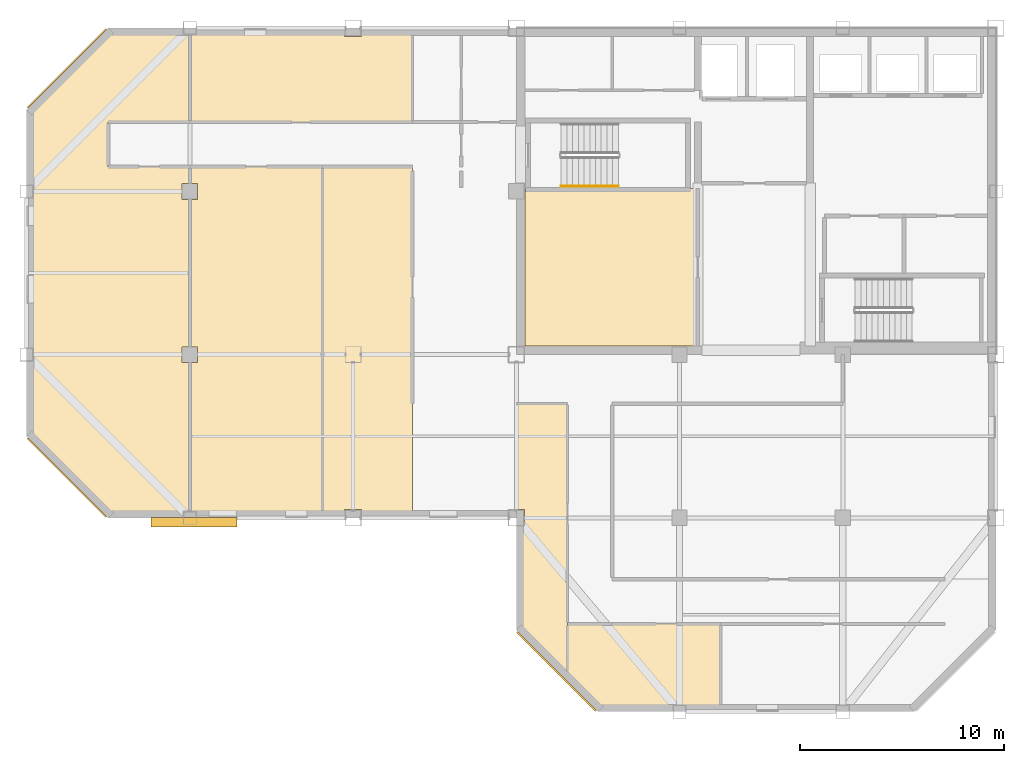
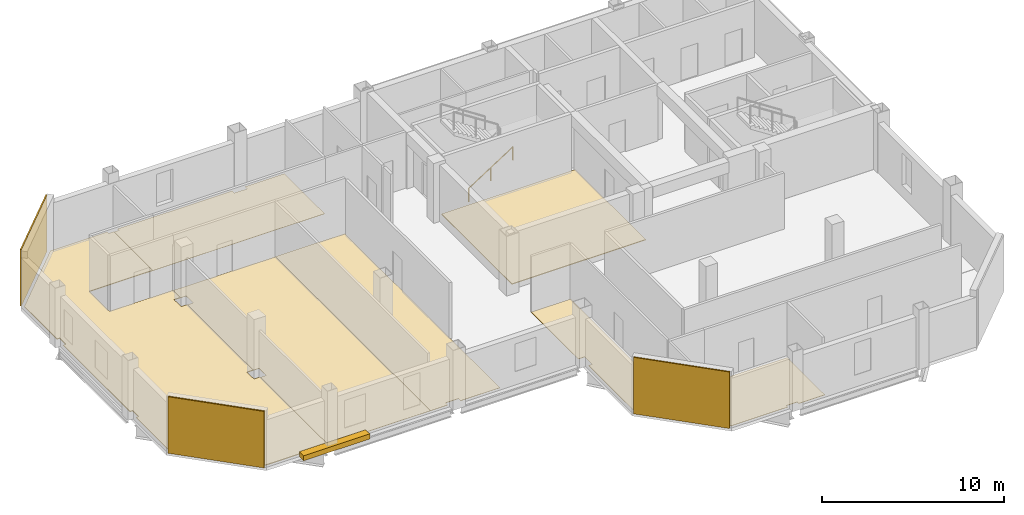
# One storey, part 5 of 7: 10 coverings, 1 railing, 1 shading device.
"""IFC4 building model written with IfcOpenShell, lengths in metres."""

from ifc_helpers import new_model, si_unit, direction, frame, origin, origin_2d, place, context, subcontext, project, spatial, polyline, rectangle, circle, outline, extrude, material, layer, layer_set, type_object, element, save


model = new_model("IFC4")

# Units and contexts
model_context = context("Model", 3, precision=1e-05, world=origin(), true_north=direction((0.0, 1.0)))
body_context = subcontext(model_context, "Body", "Model", "MODEL_VIEW")
ifc_project = project(units=[si_unit("LENGTHUNIT", "METRE"), si_unit("AREAUNIT", "SQUARE_METRE"), si_unit("VOLUMEUNIT", "CUBIC_METRE"), si_unit("PLANEANGLEUNIT", "RADIAN"), si_unit("MASSUNIT", "GRAM", prefix="KILO")], contexts=[model_context])

# Site, building, storey
site_placement = place(None, origin())
site = spatial("IfcSite", under=ifc_project, at=site_placement, CompositionType="ELEMENT")
building_placement = place(site_placement, origin())
building = spatial("IfcBuilding", under=site, at=building_placement, Name="Qianrong Seaharbour Tower", CompositionType="ELEMENT")
storey_placement = place(building_placement, frame((0.0, 0.0, 315.199951171875)))
storey = spatial("IfcBuildingStorey", under=building, at=storey_placement, Name="L76", CompositionType="ELEMENT", Elevation=315.199951171875)

# Coverings
ifc_material_1 = material(Name="Unitised red brick cladding on Precast concrete C45/55", Category="masonry")
ifc_layer_1 = layer(ifc_material_1, 0.080078125)
ifc_layer_set_1 = layer_set([ifc_layer_1], Name="Unitised red brick cladding on Precast concrete C45/55")
covering_type_1 = type_object("IfcCoveringType", Name="COV-CLAD-RED-BRICK-80", PredefinedType="CLADDING", material=ifc_layer_set_1)
for number, where, z_axis, x_axis, name in (
    (1, (18.4716796875, 29.9716796875, 0.0), (0.0, 0.0, 1.0), (-0.707106781187, 0.707106781187, 0.0), "L76 Chamfer Corner Brick Cladding 02"),
    (2, (18.4716796875, 50.0283203125, 0.0), (0.0, 0.0, 1.0), (0.707106781187, 0.707106781187, 0.0), "L76 Chamfer Corner Brick Cladding 04"),
    (3, (42.4716796875, 20.4716796875, 0.0), (0.0, 0.0, 1.0), (-0.707106781187, 0.707106781187, 0.0), "L76 Chamfer Corner Brick Cladding 09"),
):
    element("IfcCovering", number, at=place(storey_placement, frame(where, z_axis=z_axis, x_axis=x_axis)), inside=storey, type_object=covering_type_1, Name=name, PredefinedType="CLADDING", context=body_context, shape_type="SweptSolid", body=[
        extrude(rectangle(XDim=5.456787109375, YDim=0.080078125, at=origin_2d()), origin(), (0.0, 0.0, 1.0), 3.784912109375),
    ])
ifc_material_2 = material(Name="Acoustic modular carpet tile flooring")
ifc_layer_2 = layer(ifc_material_2, 0.02001953125)
ifc_layer_set_2 = layer_set([ifc_layer_2], Name="Acoustic modular carpet tile flooring")
covering_type_2 = type_object("IfcCoveringType", Name="COV-FLOOR-CARPET-20", PredefinedType="FLOORING", material=ifc_layer_set_2)
covering_1_placement = place(storey_placement, origin())
element("IfcCovering", 4, at=covering_1_placement, inside=storey, type_object=covering_type_2, Name="L76 Corporate Archive Room Finish Flooring", PredefinedType="FLOORING", context=body_context, shape_type="SweptSolid", body=[
    extrude(outline(polyline([(24.5, 51.6650390625), (24.8349609375, 51.6650390625), (24.8349609375, 51.824951171875), (32.090087890625, 51.824951171875), (32.090087890625, 51.590087890625), (32.909912109375, 51.590087890625), (32.909912109375, 51.824951171875), (35.39990234375, 51.824951171875), (35.39990234375, 47.39990234375), (24.5, 47.39990234375), (24.5, 51.6650390625)])), origin(), (0.0, 0.0, 1.0), 0.02001953125),
])
covering_2_placement = place(storey_placement, origin())
element("IfcCovering", 5, at=covering_2_placement, inside=storey, type_object=covering_type_2, Name="L76 Project Library 1 Finish Flooring", PredefinedType="FLOORING", context=body_context, shape_type="SweptSolid", body=[
    extrude(outline(polyline([(24.8349609375, 28.175048828125), (24.8349609375, 28.3349609375), (24.5, 28.3349609375), (24.5, 35.614990234375), (24.885009765625, 35.614990234375), (24.885009765625, 36.385009765625), (24.5, 36.385009765625), (24.5, 43.614990234375), (24.885009765625, 43.614990234375), (24.885009765625, 44.385009765625), (24.5, 44.385009765625), (24.5, 45.199951171875), (31.0, 45.199951171875), (31.0, 28.175048828125), (24.8349609375, 28.175048828125)])), origin(), (0.0, 0.0, 1.0), 0.02001953125),
])
covering_3_placement = place(storey_placement, origin())
element("IfcCovering", 6, at=covering_3_placement, inside=storey, type_object=covering_type_2, Name="L76 Digital Media Hall 2 Finish Flooring", PredefinedType="FLOORING", context=body_context, shape_type="SweptSolid", body=[
    extrude(outline(polyline([(32.909912109375, 28.175048828125), (32.909912109375, 28.409912109375), (32.090087890625, 28.409912109375), (32.090087890625, 28.175048828125), (31.0, 28.175048828125), (31.0, 45.199951171875), (35.39990234375, 45.199951171875), (35.39990234375, 28.175048828125), (32.909912109375, 28.175048828125)])), origin(), (0.0, 0.0, 1.0), 0.02001953125),
])
covering_4_placement = place(storey_placement, origin())
element("IfcCovering", 7, at=covering_4_placement, inside=storey, type_object=covering_type_2, Name="L76 Wet Pantry Finish Flooring", PredefinedType="FLOORING", context=body_context, shape_type="SweptSolid", body=[
    extrude(outline(polyline([(43.0, 20.24755859375), (40.675048828125, 22.572509765625), (40.675048828125, 27.590087890625), (40.909912109375, 27.590087890625), (40.909912109375, 28.409912109375), (40.5, 28.409912109375), (40.5, 33.60009765625), (43.0, 33.60009765625), (43.0, 20.24755859375)])), origin(), (0.0, 0.0, 1.0), 0.02001953125),
])
covering_5_placement = place(storey_placement, origin())
element("IfcCovering", 8, at=covering_5_placement, inside=storey, type_object=covering_type_2, Name="L76 Harbour Symposium Hall 1 Finish Flooring", PredefinedType="FLOORING", context=body_context, shape_type="SweptSolid", body=[
    extrude(outline(polyline([(50.5, 18.675048828125), (48.8349609375, 18.675048828125), (48.8349609375, 18.8349609375), (48.1650390625, 18.8349609375), (48.1650390625, 18.675048828125), (44.572509765625, 18.675048828125), (43.0, 20.24755859375), (43.0, 22.800048828125), (50.5, 22.800048828125), (50.5, 18.675048828125)])), origin(), (0.0, 0.0, 1.0), 0.02001953125),
])
ifc_material_3 = material(Name="Calcium-sulphate raised access floor tile")
ifc_layer_3 = layer(ifc_material_3, 0.044921875)
ifc_layer_set_3 = layer_set([ifc_layer_3], Name="Calcium-sulphate raised access floor tile")
covering_type_3 = type_object("IfcCoveringType", Name="COV-FLOOR-RAISED-45", PredefinedType="FLOORING", material=ifc_layer_set_3)
covering_6_placement = place(storey_placement, origin())
element("IfcCovering", 9, at=covering_6_placement, inside=storey, type_object=covering_type_3, Name="L76 Data Systems Office Finish Flooring", PredefinedType="FLOORING", context=body_context, shape_type="SweptSolid", body=[
    extrude(outline(polyline([(49.39990234375, 44.14990234375), (49.39990234375, 36.419921875), (40.919921875, 36.419921875), (40.919921875, 44.14990234375), (49.39990234375, 44.14990234375)])), origin(), (0.0, 0.0, 1.0), 0.045166015625),
])
covering_7_placement = place(storey_placement, origin())
element("IfcCovering", 10, at=covering_7_placement, inside=storey, type_object=covering_type_3, Name="L76 West Harbour Open-Plan Office Finish Flooring", PredefinedType="FLOORING", context=body_context, shape_type="SweptSolid", body=[
    extrude(outline(polyline([(16.675048828125, 32.072509765625), (16.675048828125, 35.6650390625), (16.8349609375, 35.6650390625), (16.8349609375, 36.3349609375), (16.675048828125, 36.3349609375), (16.675048828125, 43.6650390625), (16.8349609375, 43.6650390625), (16.8349609375, 44.3349609375), (16.675048828125, 44.3349609375), (16.675048828125, 47.927490234375), (20.572509765625, 51.824951171875), (24.1650390625, 51.824951171875), (24.1650390625, 51.6650390625), (24.5, 51.6650390625), (24.5, 47.39990234375), (20.5, 47.39990234375), (20.5, 45.199951171875), (24.5, 45.199951171875), (24.5, 44.385009765625), (24.114990234375, 44.385009765625), (24.114990234375, 43.614990234375), (24.5, 43.614990234375), (24.5, 36.385009765625), (24.114990234375, 36.385009765625), (24.114990234375, 35.614990234375), (24.5, 35.614990234375), (24.5, 28.3349609375), (24.1650390625, 28.3349609375), (24.1650390625, 28.175048828125), (20.572509765625, 28.175048828125), (16.675048828125, 32.072509765625)])), origin(), (0.0, 0.0, 1.0), 0.045166015625),
])

# Railing
ifc_material_4 = material(Name="Stainless steel SUS316L continuous handrail", Category="steel")
railing_type = type_object("IfcRailingType", Name="RAIL-STAIR-HANDRAIL-900", PredefinedType="HANDRAIL", material=ifc_material_4)
railing_placement = place(storey_placement, frame((42.699951171875, 44.25, 0.181884765625)))
element("IfcRailing", 11, at=railing_placement, inside=storey, type_object=railing_type, Name="L76 ST-1 stair handrail 1", PredefinedType="HANDRAIL", context=body_context, shape_type="SweptSolid", body=[
    extrude(circle(Radius=0.02392578125, at=origin_2d()), frame((0.0, 0.0, 0.8759765625), z_axis=(0.838705829183, 0.0, 0.544584733623), x_axis=(0.0, 1.0, 0.0)), (0.0, 0.0, 1.0), 3.338623046875),
    extrude(circle(Radius=0.02099609375, at=origin_2d()), origin(), (0.0, 0.0, 1.0), 0.851806640625),
    extrude(circle(Radius=0.02099609375, at=origin_2d()), frame((1.39990234375, 0.0, 0.9091796875)), (0.0, 0.0, 1.0), 0.851806640625),
    extrude(circle(Radius=0.02099609375, at=origin_2d()), frame((2.800048828125, 0.0, 1.818115234375)), (0.0, 0.0, 1.0), 0.851806640625),
])

# Shading device
ifc_material_5 = material(Name="White architectural precast concrete C45/55", Category="concrete")
shading_device_type = type_object("IfcShadingDeviceType", Name="SHD-SUNSHADE-WHITE-320", PredefinedType="AWNING", material=ifc_material_5)
shading_device_placement = place(storey_placement, frame((24.699951171875, 27.780029296875, -0.02001953125), z_axis=(0.0, 0.0, 1.0), x_axis=(1.0, 0.0, 0.0)))
element("IfcShadingDevice", 12, at=shading_device_placement, inside=storey, type_object=shading_device_type, Name="L76 Climbing White Precast Ribbon Canopy Fin", PredefinedType="AWNING", context=body_context, shape_type="SweptSolid", body=[
    extrude(rectangle(XDim=4.199951171875, YDim=0.4599609375, at=origin_2d()), origin(), (0.0, 0.0, 1.0), 0.340087890625),
])

save(model, "model.ifc")
